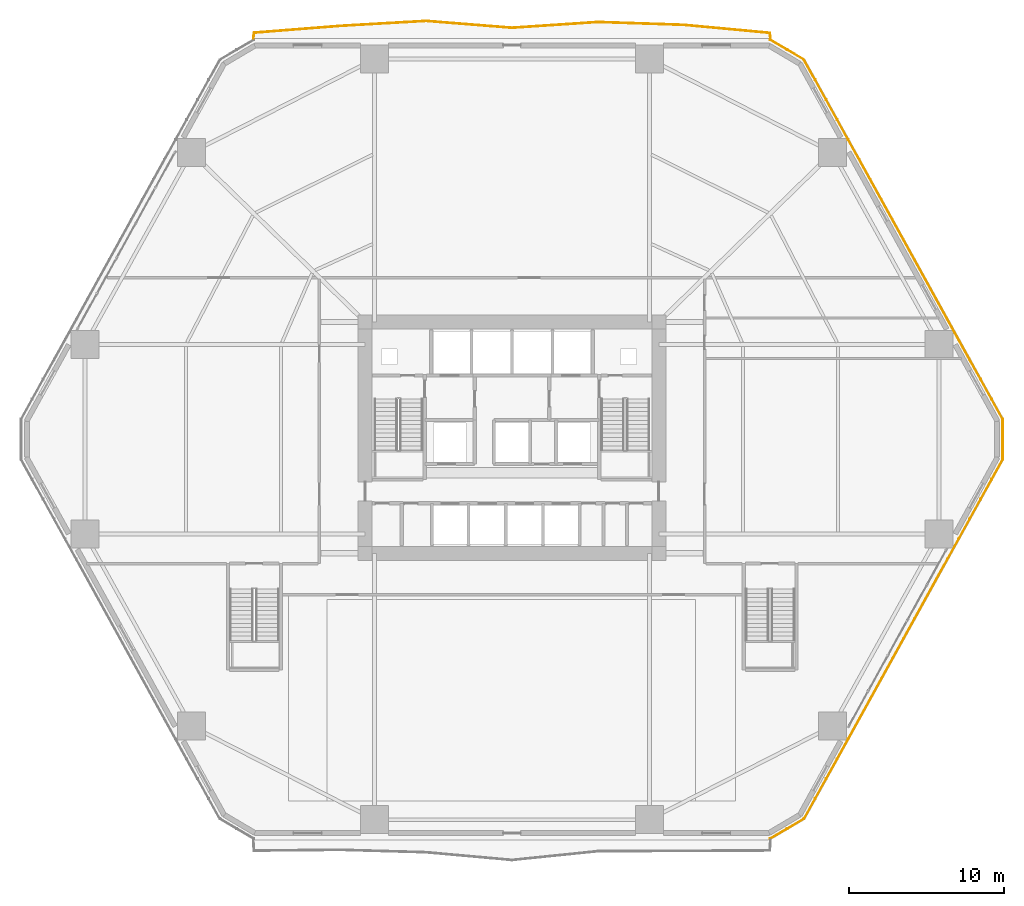
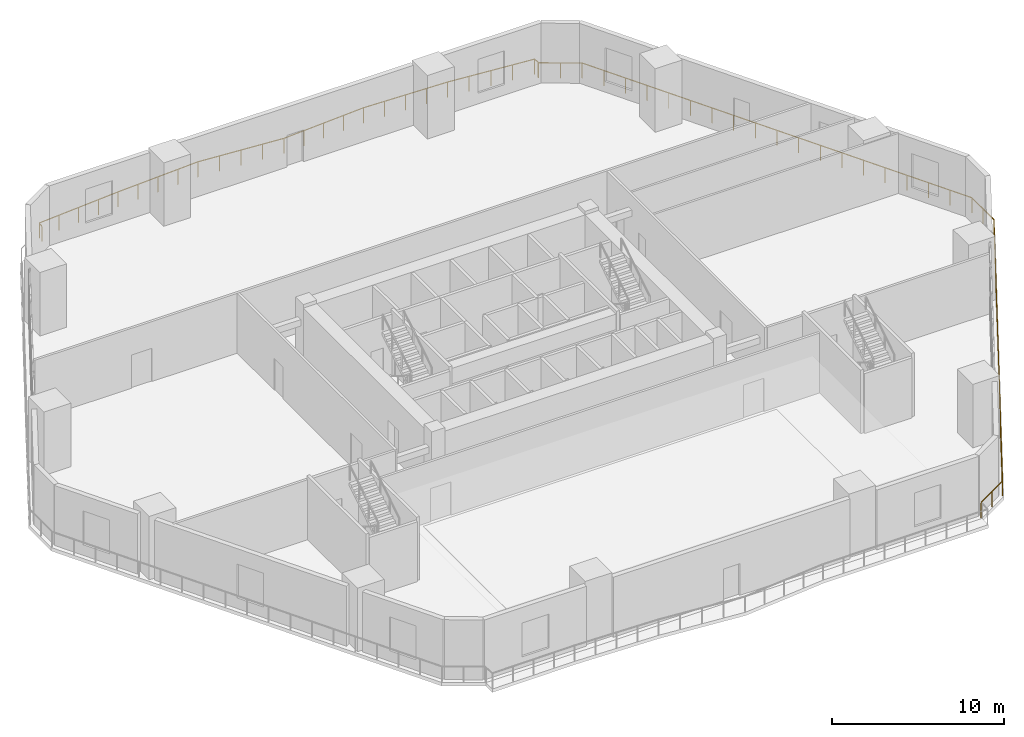
# One storey, part 18 of 18: 2 railings.
"""IFC4 building model written with IfcOpenShell, lengths in metres."""

import ifcopenshell
import ifcopenshell.guid

model = None  # the IFC model being written
_history = None  # IfcOwnerHistory: only IFC2X3 demands one
_inside = {}  # id of a spatial element -> (the spatial element, [elements in it])
_under = {}  # id of a project, library or spatial element -> (it, [spatial elements below it])
_declared = {}  # id of a project -> (the project, [libraries it declares])
_typed = {}  # id of a type object -> (the type object, [elements of that type])
_made_of = {}  # id of a material, layer set ... -> (it, [elements and type objects made of it])


def new_model(schema):
    """Start an empty IFC model of exactly this schema.

    Asked for "IFC4X3", IfcOpenShell would pick the latest addendum, in which some entities
    have other attributes; the version numbers below select the first issue.
    IFC2X3 requires an IfcOwnerHistory on every rooted entity: one is made here for all.
    """
    global model, _history
    if schema == "IFC4X3":
        model = ifcopenshell.file(schema_version=(4, 3, 0, 0))
    else:
        model = ifcopenshell.file(schema=schema)
    _inside.clear()
    _under.clear()
    _declared.clear()
    _typed.clear()
    _made_of.clear()
    _history = None
    if model.schema == "IFC2X3":
        org = make("IfcOrganization", Name="unknown")
        user = make(
            "IfcPersonAndOrganization",
            ThePerson=make("IfcPerson", FamilyName="unknown"),
            TheOrganization=org,
        )
        app = make(
            "IfcApplication",
            ApplicationDeveloper=org,
            Version="unknown",
            ApplicationFullName="unknown",
            ApplicationIdentifier="unknown",
        )
        _history = make(
            "IfcOwnerHistory",
            OwningUser=user,
            OwningApplication=app,
            ChangeAction="ADDED",
            CreationDate=0,
        )
    return model


def make(cls, **values):
    """One entity of the class cls with the attributes given. An attribute that is None is left unset."""
    return model.create_entity(
        cls, **{name: value for name, value in values.items() if value is not None}
    )


def rooted(cls, **values):
    """An entity with a GlobalId (a new one), such as an element, a storey or a relation."""
    return make(cls, GlobalId=ifcopenshell.guid.new(), OwnerHistory=_history, **values)


def si_unit(unit_type, name, prefix=None):
    """IfcSIUnit, for example si_unit("LENGTHUNIT", "METRE", prefix="MILLI")."""
    return make("IfcSIUnit", UnitType=unit_type, Prefix=prefix, Name=name)


def assignment(units):
    """IfcUnitAssignment: the units of a project."""
    return None if units is None else make("IfcUnitAssignment", Units=units)


def point(xyz):
    """IfcCartesianPoint."""
    return None if xyz is None else make("IfcCartesianPoint", Coordinates=xyz)


def direction(xyz):
    """IfcDirection."""
    return None if xyz is None else make("IfcDirection", DirectionRatios=xyz)


def frame(location, z_axis=None, x_axis=None):
    """IfcAxis2Placement3D, a coordinate frame: its origin and axes. An axis left out is left unset."""
    return make(
        "IfcAxis2Placement3D",
        Location=point(location),
        Axis=direction(z_axis),
        RefDirection=direction(x_axis),
    )


def frame_2d(location, x_axis=None):
    """IfcAxis2Placement2D, a coordinate frame in the plane: its origin and x axis."""
    return make(
        "IfcAxis2Placement2D", Location=point(location), RefDirection=direction(x_axis)
    )


def origin():
    """The frame at (0, 0, 0) with its axes left unset."""
    return frame((0.0, 0.0, 0.0))


def origin_2d():
    """The frame at (0, 0) in the plane with its x axis left unset."""
    return frame_2d((0.0, 0.0))


def place(relative_to, where):
    """IfcLocalPlacement: puts the frame where relative to a parent placement (None: the world)."""
    return make(
        "IfcLocalPlacement", PlacementRelTo=relative_to, RelativePlacement=where
    )


def context(
    kind, dimensions, precision=None, world=None, true_north=None, identifier=None
):
    """IfcGeometricRepresentationContext, for example the 3D "Model" context."""
    return make(
        "IfcGeometricRepresentationContext",
        ContextIdentifier=identifier,
        ContextType=kind,
        CoordinateSpaceDimension=dimensions,
        Precision=precision,
        WorldCoordinateSystem=world,
        TrueNorth=true_north,
    )


def subcontext(parent, identifier, kind, view, scale=None):
    """IfcGeometricRepresentationSubContext, for example "Body" below "Model"."""
    return make(
        "IfcGeometricRepresentationSubContext",
        ContextIdentifier=identifier,
        ContextType=kind,
        ParentContext=parent,
        TargetScale=scale,
        TargetView=view,
    )


def project(units=None, contexts=None):
    """IfcProject with its units and contexts."""
    return rooted(
        "IfcProject",
        Name="project",
        RepresentationContexts=contexts,
        UnitsInContext=assignment(units),
    )


def spatial(cls, under=None, at=None, **own):
    """A site, building, storey or space (cls), placed at a placement, below another one or the project."""
    s = rooted(cls, ObjectPlacement=at, **own)
    if under is not None:
        _under.setdefault(under.id(), (under, []))[1].append(s)
    return s


def profile(cls, at=None, kind="AREA", **sizes):
    """A parametric profile (cls). Its sizes go by their IFC names, for example OverallWidth=200.0."""
    return make(cls, ProfileType=kind, Position=at, **sizes)


def rectangle(**sizes):
    """IfcRectangleProfileDef."""
    return profile("IfcRectangleProfileDef", **sizes)


def extrude(swept, where, along, depth):
    """IfcExtrudedAreaSolid: the profile swept, set in the frame where, extruded along a direction by depth."""
    return make(
        "IfcExtrudedAreaSolid",
        SweptArea=swept,
        Position=where,
        ExtrudedDirection=direction(along),
        Depth=depth,
    )


def shape(context_of_items, identifier, shape_type, items):
    """IfcShapeRepresentation: the items that make up one representation, for example the "Body"."""
    return make(
        "IfcShapeRepresentation",
        ContextOfItems=context_of_items,
        RepresentationIdentifier=identifier,
        RepresentationType=shape_type,
        Items=items,
    )


def material(Name=None, Category=None):
    """IfcMaterial."""
    return make("IfcMaterial", Name=Name, Category=Category)


def made_of(thing, what):
    """Note that an element or type object is made of a material, layer set ...; save() writes the relation."""
    if what is not None:
        _made_of.setdefault(what.id(), (what, []))[1].append(thing)
    return thing


def type_object(cls, material=None, **own):
    """A type object (cls), such as IfcWallType, which elements share."""
    return made_of(rooted(cls, **own), material)


def element(
    cls,
    number,
    at=None,
    inside=None,
    cuts=None,
    type_object=None,
    material=None,
    context=None,
    identifier="Body",
    shape_type=None,
    held_by="IfcProductDefinitionShape",
    body=None,
    shapes=None,
    **own,
):
    """One element of the class cls, such as IfcWall. Its Tag is "e" and its number.

    at: its placement. inside: the storey or other place that contains it. cuts: it is an
    opening in that element (IfcRelVoidsElement). A single representation is given by context,
    identifier, shape_type and body (its items); several are given by shapes. held_by: the class
    of the entity that holds the representations. save() writes the other relations.
    """
    e = rooted(cls, Tag="e%d" % number, ObjectPlacement=at, **own)
    if body is not None:
        shapes = [shape(context, identifier, shape_type, body)]
    if shapes is not None:
        e.Representation = make(held_by, Representations=shapes)
    if inside is not None:
        _inside.setdefault(inside.id(), (inside, []))[1].append(e)
    if cuts is not None:
        rooted(
            "IfcRelVoidsElement", RelatingBuildingElement=cuts, RelatedOpeningElement=e
        )
    if type_object is not None:
        _typed.setdefault(type_object.id(), (type_object, []))[1].append(e)
    return made_of(e, material)


def aggregate(whole, parts):
    """IfcRelAggregates: a whole, such as a stair, and the parts it consists of."""
    return rooted("IfcRelAggregates", RelatingObject=whole, RelatedObjects=parts)


def save(model, path):
    """Write the relations noted so far, then the file.

    IfcRelAggregates (storeys below a building ...), IfcRelContainedInSpatialStructure (elements
    in a storey), IfcRelDefinesByType, IfcRelAssociatesMaterial and IfcRelDeclares: one each for
    every whole, place, type object, material and project.
    """
    for whole, parts in _under.values():
        aggregate(whole, parts)
    for where, things in _inside.values():
        rooted(
            "IfcRelContainedInSpatialStructure",
            RelatedElements=things,
            RelatingStructure=where,
        )
    for kind, things in _typed.values():
        rooted("IfcRelDefinesByType", RelatedObjects=things, RelatingType=kind)
    for what, things in _made_of.values():
        rooted("IfcRelAssociatesMaterial", RelatedObjects=things, RelatingMaterial=what)
    for by, libraries in _declared.values():
        rooted("IfcRelDeclares", RelatingContext=by, RelatedDefinitions=libraries)
    model.write(path)


model = new_model("IFC4")

# Units and contexts
model_context = context("Model", 3, precision=1e-05, world=origin(), true_north=direction((0.0, 1.0)))
body_context = subcontext(model_context, "Body", "Model", "MODEL_VIEW")
ifc_project = project(units=[si_unit("LENGTHUNIT", "METRE"), si_unit("AREAUNIT", "SQUARE_METRE"), si_unit("VOLUMEUNIT", "CUBIC_METRE"), si_unit("PLANEANGLEUNIT", "RADIAN"), si_unit("MASSUNIT", "GRAM", prefix="KILO")], contexts=[model_context])

# Site, building, storey
site_placement = place(None, origin())
site = spatial("IfcSite", under=ifc_project, at=site_placement, CompositionType="ELEMENT")
building_placement = place(site_placement, origin())
building = spatial("IfcBuilding", under=site, at=building_placement, Name="Cinnabar Lancet Tower", CompositionType="ELEMENT")
storey_placement = place(building_placement, frame((0.0, 0.0, 10.5)))
storey = spatial("IfcBuildingStorey", under=building, at=storey_placement, Name="L02", CompositionType="ELEMENT", Elevation=10.5)

# Railings
ifc_material = material(Name="Laminated safety glass and bronze stainless steel balustrade", Category="steel")
railing_type = type_object("IfcRailingType", Name="ENV-RLG-BAL-1100", PredefinedType="BALUSTRADE", material=ifc_material)
railing_1_placement = place(storey_placement, frame((49.02197265625, 0.080078125, 0.0)))
element("IfcRailing", 1, at=railing_1_placement, inside=storey, type_object=railing_type, Name="L02 East Perimeter Overhang Edge Balustrade", PredefinedType="BALUSTRADE", context=body_context, shape_type="SweptSolid", body=[
    extrude(rectangle(XDim=0.048095703125, YDim=0.048095703125, at=origin_2d()), frame((0.0, 0.0, 1.076171875), z_axis=(0.86125159245, 0.508178801705, 0.0), x_axis=(-0.508178801705, 0.86125159245, 0.0)), (0.0, 0.0, 1.0), 2.54052734375),
    extrude(rectangle(XDim=0.048095703125, YDim=0.048095703125, at=origin_2d()), frame((2.18798828125, 1.291015625, 1.076171875), z_axis=(0.483655391037, 0.875258511938, 0.0), x_axis=(-0.875258511938, 0.483655391037, 0.0)), (0.0, 0.0, 1.0), 26.434326171875),
    extrude(rectangle(XDim=0.048095703125, YDim=0.048095703125, at=origin_2d()), frame((14.97314453125, 24.427978515625, 1.076171875), z_axis=(0.0, 1.0, 0.0), x_axis=(-1.0, 0.0, 0.0)), (0.0, 0.0, 1.0), 2.583984375),
    extrude(rectangle(XDim=0.048095703125, YDim=0.048095703125, at=origin_2d()), frame((14.97314453125, 27.011962890625, 1.076171875), z_axis=(-0.483655391037, 0.875258511938, 0.0), x_axis=(-0.875258511938, -0.483655391037, 0.0)), (0.0, 0.0, 1.0), 26.434326171875),
    extrude(rectangle(XDim=0.048095703125, YDim=0.048095703125, at=origin_2d()), frame((2.18798828125, 50.14892578125, 1.076171875), z_axis=(-0.86125159245, 0.508178801705, 0.0), x_axis=(-0.508178801705, -0.86125159245, 0.0)), (0.0, 0.0, 1.0), 2.54052734375),
    extrude(rectangle(XDim=0.0419921875, YDim=0.0419921875, at=origin_2d()), origin(), (0.0, 0.0, 1.0), 1.052001953125),
    extrude(rectangle(XDim=0.0419921875, YDim=0.0419921875, at=origin_2d()), frame((1.093994140625, 0.6455078125, 0.0)), (0.0, 0.0, 1.0), 1.052001953125),
    extrude(rectangle(XDim=0.0419921875, YDim=0.0419921875, at=origin_2d()), frame((2.18798828125, 1.291015625, 0.0)), (0.0, 0.0, 1.0), 1.052001953125),
    extrude(rectangle(XDim=0.0419921875, YDim=0.0419921875, at=origin_2d()), frame((2.898193359375, 2.576416015625, 0.0)), (0.0, 0.0, 1.0), 1.052001953125),
    extrude(rectangle(XDim=0.0419921875, YDim=0.0419921875, at=origin_2d()), frame((3.608642578125, 3.86181640625, 0.0)), (0.0, 0.0, 1.0), 1.052001953125),
    extrude(rectangle(XDim=0.0419921875, YDim=0.0419921875, at=origin_2d()), frame((4.31884765625, 5.147216796875, 0.0)), (0.0, 0.0, 1.0), 1.052001953125),
    extrude(rectangle(XDim=0.0419921875, YDim=0.0419921875, at=origin_2d()), frame((5.029052734375, 6.4326171875, 0.0)), (0.0, 0.0, 1.0), 1.052001953125),
    extrude(rectangle(XDim=0.0419921875, YDim=0.0419921875, at=origin_2d()), frame((5.739501953125, 7.718017578125, 0.0)), (0.0, 0.0, 1.0), 1.052001953125),
    extrude(rectangle(XDim=0.0419921875, YDim=0.0419921875, at=origin_2d()), frame((6.44970703125, 9.00341796875, 0.0)), (0.0, 0.0, 1.0), 1.052001953125),
    extrude(rectangle(XDim=0.0419921875, YDim=0.0419921875, at=origin_2d()), frame((7.159912109375, 10.288818359375, 0.0)), (0.0, 0.0, 1.0), 1.052001953125),
    extrude(rectangle(XDim=0.0419921875, YDim=0.0419921875, at=origin_2d()), frame((7.870361328125, 11.57421875, 0.0)), (0.0, 0.0, 1.0), 1.052001953125),
    extrude(rectangle(XDim=0.0419921875, YDim=0.0419921875, at=origin_2d()), frame((8.58056640625, 12.859375, 0.0)), (0.0, 0.0, 1.0), 1.052001953125),
    extrude(rectangle(XDim=0.0419921875, YDim=0.0419921875, at=origin_2d()), frame((9.290771484375, 14.144775390625, 0.0)), (0.0, 0.0, 1.0), 1.052001953125),
    extrude(rectangle(XDim=0.0419921875, YDim=0.0419921875, at=origin_2d()), frame((10.001220703125, 15.43017578125, 0.0)), (0.0, 0.0, 1.0), 1.052001953125),
    extrude(rectangle(XDim=0.0419921875, YDim=0.0419921875, at=origin_2d()), frame((10.71142578125, 16.715576171875, 0.0)), (0.0, 0.0, 1.0), 1.052001953125),
    extrude(rectangle(XDim=0.0419921875, YDim=0.0419921875, at=origin_2d()), frame((11.421630859375, 18.0009765625, 0.0)), (0.0, 0.0, 1.0), 1.052001953125),
    extrude(rectangle(XDim=0.0419921875, YDim=0.0419921875, at=origin_2d()), frame((12.132080078125, 19.286376953125, 0.0)), (0.0, 0.0, 1.0), 1.052001953125),
    extrude(rectangle(XDim=0.0419921875, YDim=0.0419921875, at=origin_2d()), frame((12.84228515625, 20.57177734375, 0.0)), (0.0, 0.0, 1.0), 1.052001953125),
    extrude(rectangle(XDim=0.0419921875, YDim=0.0419921875, at=origin_2d()), frame((13.552490234375, 21.857177734375, 0.0)), (0.0, 0.0, 1.0), 1.052001953125),
    extrude(rectangle(XDim=0.0419921875, YDim=0.0419921875, at=origin_2d()), frame((14.262939453125, 23.142578125, 0.0)), (0.0, 0.0, 1.0), 1.052001953125),
    extrude(rectangle(XDim=0.0419921875, YDim=0.0419921875, at=origin_2d()), frame((14.97314453125, 24.427978515625, 0.0)), (0.0, 0.0, 1.0), 1.052001953125),
    extrude(rectangle(XDim=0.0419921875, YDim=0.0419921875, at=origin_2d()), frame((14.97314453125, 25.719970703125, 0.0)), (0.0, 0.0, 1.0), 1.052001953125),
    extrude(rectangle(XDim=0.0419921875, YDim=0.0419921875, at=origin_2d()), frame((14.97314453125, 27.011962890625, 0.0)), (0.0, 0.0, 1.0), 1.052001953125),
    extrude(rectangle(XDim=0.0419921875, YDim=0.0419921875, at=origin_2d()), frame((14.262939453125, 28.29736328125, 0.0)), (0.0, 0.0, 1.0), 1.052001953125),
    extrude(rectangle(XDim=0.0419921875, YDim=0.0419921875, at=origin_2d()), frame((13.552490234375, 29.582763671875, 0.0)), (0.0, 0.0, 1.0), 1.052001953125),
    extrude(rectangle(XDim=0.0419921875, YDim=0.0419921875, at=origin_2d()), frame((12.84228515625, 30.8681640625, 0.0)), (0.0, 0.0, 1.0), 1.052001953125),
    extrude(rectangle(XDim=0.0419921875, YDim=0.0419921875, at=origin_2d()), frame((12.132080078125, 32.153564453125, 0.0)), (0.0, 0.0, 1.0), 1.052001953125),
    extrude(rectangle(XDim=0.0419921875, YDim=0.0419921875, at=origin_2d()), frame((11.421630859375, 33.43896484375, 0.0)), (0.0, 0.0, 1.0), 1.052001953125),
    extrude(rectangle(XDim=0.0419921875, YDim=0.0419921875, at=origin_2d()), frame((10.71142578125, 34.724365234375, 0.0)), (0.0, 0.0, 1.0), 1.052001953125),
    extrude(rectangle(XDim=0.0419921875, YDim=0.0419921875, at=origin_2d()), frame((10.001220703125, 36.009765625, 0.0)), (0.0, 0.0, 1.0), 1.052001953125),
    extrude(rectangle(XDim=0.0419921875, YDim=0.0419921875, at=origin_2d()), frame((9.290771484375, 37.295166015625, 0.0)), (0.0, 0.0, 1.0), 1.052001953125),
    extrude(rectangle(XDim=0.0419921875, YDim=0.0419921875, at=origin_2d()), frame((8.58056640625, 38.58056640625, 0.0)), (0.0, 0.0, 1.0), 1.052001953125),
    extrude(rectangle(XDim=0.0419921875, YDim=0.0419921875, at=origin_2d()), frame((7.870361328125, 39.86572265625, 0.0)), (0.0, 0.0, 1.0), 1.052001953125),
    extrude(rectangle(XDim=0.0419921875, YDim=0.0419921875, at=origin_2d()), frame((7.159912109375, 41.151123046875, 0.0)), (0.0, 0.0, 1.0), 1.052001953125),
    extrude(rectangle(XDim=0.0419921875, YDim=0.0419921875, at=origin_2d()), frame((6.44970703125, 42.4365234375, 0.0)), (0.0, 0.0, 1.0), 1.052001953125),
    extrude(rectangle(XDim=0.0419921875, YDim=0.0419921875, at=origin_2d()), frame((5.739501953125, 43.721923828125, 0.0)), (0.0, 0.0, 1.0), 1.052001953125),
    extrude(rectangle(XDim=0.0419921875, YDim=0.0419921875, at=origin_2d()), frame((5.029052734375, 45.00732421875, 0.0)), (0.0, 0.0, 1.0), 1.052001953125),
    extrude(rectangle(XDim=0.0419921875, YDim=0.0419921875, at=origin_2d()), frame((4.31884765625, 46.292724609375, 0.0)), (0.0, 0.0, 1.0), 1.052001953125),
    extrude(rectangle(XDim=0.0419921875, YDim=0.0419921875, at=origin_2d()), frame((3.608642578125, 47.578125, 0.0)), (0.0, 0.0, 1.0), 1.052001953125),
    extrude(rectangle(XDim=0.0419921875, YDim=0.0419921875, at=origin_2d()), frame((2.898193359375, 48.863525390625, 0.0)), (0.0, 0.0, 1.0), 1.052001953125),
    extrude(rectangle(XDim=0.0419921875, YDim=0.0419921875, at=origin_2d()), frame((2.18798828125, 50.14892578125, 0.0)), (0.0, 0.0, 1.0), 1.052001953125),
    extrude(rectangle(XDim=0.0419921875, YDim=0.0419921875, at=origin_2d()), frame((1.093994140625, 50.79443359375, 0.0)), (0.0, 0.0, 1.0), 1.052001953125),
    extrude(rectangle(XDim=0.0419921875, YDim=0.0419921875, at=origin_2d()), frame((0.0, 51.43994140625, 0.0)), (0.0, 0.0, 1.0), 1.052001953125),
])
railing_2_placement = place(storey_placement, frame((49.0439453125, 51.60009765625, 0.0)))
element("IfcRailing", 2, at=railing_2_placement, inside=storey, type_object=railing_type, Name="L02 Face 4 Wave Balcony Balustrade", PredefinedType="BALUSTRADE", context=body_context, shape_type="SweptSolid", body=[
    extrude(rectangle(XDim=0.048095703125, YDim=0.048095703125, at=origin_2d()), frame((0.0, 0.0, 1.076171875), z_axis=(-0.10629098992, 0.994335066998, 0.0), x_axis=(-0.994335066998, -0.10629098992, 0.0)), (0.0, 0.0, 1.0), 0.35595703125),
    extrude(rectangle(XDim=0.048095703125, YDim=0.048095703125, at=origin_2d()), frame((-0.037841796875, 0.35400390625, 1.076171875), z_axis=(-0.995671883287, 0.092938155949, 0.0), x_axis=(-0.092938155949, -0.995671883287, 0.0)), (0.0, 0.0, 1.0), 5.561279296875),
    extrude(rectangle(XDim=0.048095703125, YDim=0.048095703125, at=origin_2d()), frame((-5.574951171875, 0.870849609375, 1.076171875), z_axis=(-0.999447399544, 0.033239969091, 0.0), x_axis=(-0.033239969091, -0.999447399544, 0.0)), (0.0, 0.0, 1.0), 5.5380859375),
    extrude(rectangle(XDim=0.048095703125, YDim=0.048095703125, at=origin_2d()), frame((-11.10986328125, 1.054931640625, 1.076171875), z_axis=(-0.99774760634, -0.067079907891, 0.0), x_axis=(0.067079907891, -0.99774760634, 0.0)), (0.0, 0.0, 1.0), 5.546630859375),
    extrude(rectangle(XDim=0.048095703125, YDim=0.048095703125, at=origin_2d()), frame((-16.64404296875, 0.682861328125, 1.076171875), z_axis=(-0.996823523233, 0.079642096465, 0.0), x_axis=(-0.079642096465, -0.996823523233, 0.0)), (0.0, 0.0, 1.0), 5.551513671875),
    extrude(rectangle(XDim=0.048095703125, YDim=0.048095703125, at=origin_2d()), frame((-22.177978515625, 1.125, 1.076171875), z_axis=(-0.998332190302, -0.057730735366, 0.0), x_axis=(0.057730735366, -0.998332190302, 0.0)), (0.0, 0.0, 1.0), 5.544189453125),
    extrude(rectangle(XDim=0.048095703125, YDim=0.048095703125, at=origin_2d()), frame((-27.712890625, 0.804931640625, 1.076171875), z_axis=(-0.996886157788, -0.078854222534, 0.0), x_axis=(0.078854222534, -0.996886157788, 0.0)), (0.0, 0.0, 1.0), 5.554443359375),
    extrude(rectangle(XDim=0.048095703125, YDim=0.048095703125, at=origin_2d()), frame((-33.25, 0.366943359375, 1.076171875), z_axis=(-0.102583026657, -0.994724445584, 0.0), x_axis=(0.994724445584, -0.102583026657, 0.0)), (0.0, 0.0, 1.0), 0.368896484375),
    extrude(rectangle(XDim=0.0419921875, YDim=0.0419921875, at=origin_2d()), origin(), (0.0, 0.0, 1.0), 1.052001953125),
    extrude(rectangle(XDim=0.0419921875, YDim=0.0419921875, at=origin_2d()), frame((-0.037841796875, 0.35400390625, 0.0)), (0.0, 0.0, 1.0), 1.052001953125),
    extrude(rectangle(XDim=0.0419921875, YDim=0.0419921875, at=origin_2d()), frame((-1.422119140625, 0.483154296875, 0.0)), (0.0, 0.0, 1.0), 1.052001953125),
    extrude(rectangle(XDim=0.0419921875, YDim=0.0419921875, at=origin_2d()), frame((-2.806396484375, 0.6123046875, 0.0)), (0.0, 0.0, 1.0), 1.052001953125),
    extrude(rectangle(XDim=0.0419921875, YDim=0.0419921875, at=origin_2d()), frame((-4.190673828125, 0.74169921875, 0.0)), (0.0, 0.0, 1.0), 1.052001953125),
    extrude(rectangle(XDim=0.0419921875, YDim=0.0419921875, at=origin_2d()), frame((-5.574951171875, 0.870849609375, 0.0)), (0.0, 0.0, 1.0), 1.052001953125),
    extrude(rectangle(XDim=0.0419921875, YDim=0.0419921875, at=origin_2d()), frame((-6.958740234375, 0.9169921875, 0.0)), (0.0, 0.0, 1.0), 1.052001953125),
    extrude(rectangle(XDim=0.0419921875, YDim=0.0419921875, at=origin_2d()), frame((-8.34228515625, 0.962890625, 0.0)), (0.0, 0.0, 1.0), 1.052001953125),
    extrude(rectangle(XDim=0.0419921875, YDim=0.0419921875, at=origin_2d()), frame((-9.72607421875, 1.0087890625, 0.0)), (0.0, 0.0, 1.0), 1.052001953125),
    extrude(rectangle(XDim=0.0419921875, YDim=0.0419921875, at=origin_2d()), frame((-11.10986328125, 1.054931640625, 0.0)), (0.0, 0.0, 1.0), 1.052001953125),
    extrude(rectangle(XDim=0.0419921875, YDim=0.0419921875, at=origin_2d()), frame((-12.493408203125, 0.9619140625, 0.0)), (0.0, 0.0, 1.0), 1.052001953125),
    extrude(rectangle(XDim=0.0419921875, YDim=0.0419921875, at=origin_2d()), frame((-13.876953125, 0.868896484375, 0.0)), (0.0, 0.0, 1.0), 1.052001953125),
    extrude(rectangle(XDim=0.0419921875, YDim=0.0419921875, at=origin_2d()), frame((-15.260498046875, 0.77587890625, 0.0)), (0.0, 0.0, 1.0), 1.052001953125),
    extrude(rectangle(XDim=0.0419921875, YDim=0.0419921875, at=origin_2d()), frame((-16.64404296875, 0.682861328125, 0.0)), (0.0, 0.0, 1.0), 1.052001953125),
    extrude(rectangle(XDim=0.0419921875, YDim=0.0419921875, at=origin_2d()), frame((-18.027587890625, 0.79345703125, 0.0)), (0.0, 0.0, 1.0), 1.052001953125),
    extrude(rectangle(XDim=0.0419921875, YDim=0.0419921875, at=origin_2d()), frame((-19.4111328125, 0.90380859375, 0.0)), (0.0, 0.0, 1.0), 1.052001953125),
    extrude(rectangle(XDim=0.0419921875, YDim=0.0419921875, at=origin_2d()), frame((-20.79443359375, 1.014404296875, 0.0)), (0.0, 0.0, 1.0), 1.052001953125),
    extrude(rectangle(XDim=0.0419921875, YDim=0.0419921875, at=origin_2d()), frame((-22.177978515625, 1.125, 0.0)), (0.0, 0.0, 1.0), 1.052001953125),
    extrude(rectangle(XDim=0.0419921875, YDim=0.0419921875, at=origin_2d()), frame((-23.561767578125, 1.044921875, 0.0)), (0.0, 0.0, 1.0), 1.052001953125),
    extrude(rectangle(XDim=0.0419921875, YDim=0.0419921875, at=origin_2d()), frame((-24.9453125, 0.96484375, 0.0)), (0.0, 0.0, 1.0), 1.052001953125),
    extrude(rectangle(XDim=0.0419921875, YDim=0.0419921875, at=origin_2d()), frame((-26.3291015625, 0.885009765625, 0.0)), (0.0, 0.0, 1.0), 1.052001953125),
    extrude(rectangle(XDim=0.0419921875, YDim=0.0419921875, at=origin_2d()), frame((-27.712890625, 0.804931640625, 0.0)), (0.0, 0.0, 1.0), 1.052001953125),
    extrude(rectangle(XDim=0.0419921875, YDim=0.0419921875, at=origin_2d()), frame((-29.09716796875, 0.6953125, 0.0)), (0.0, 0.0, 1.0), 1.052001953125),
    extrude(rectangle(XDim=0.0419921875, YDim=0.0419921875, at=origin_2d()), frame((-30.4814453125, 0.5859375, 0.0)), (0.0, 0.0, 1.0), 1.052001953125),
    extrude(rectangle(XDim=0.0419921875, YDim=0.0419921875, at=origin_2d()), frame((-31.86572265625, 0.4765625, 0.0)), (0.0, 0.0, 1.0), 1.052001953125),
    extrude(rectangle(XDim=0.0419921875, YDim=0.0419921875, at=origin_2d()), frame((-33.25, 0.366943359375, 0.0)), (0.0, 0.0, 1.0), 1.052001953125),
    extrude(rectangle(XDim=0.0419921875, YDim=0.0419921875, at=origin_2d()), frame((-33.287841796875, 0.0, 0.0)), (0.0, 0.0, 1.0), 1.052001953125),
])

save(model, "model.ifc")
